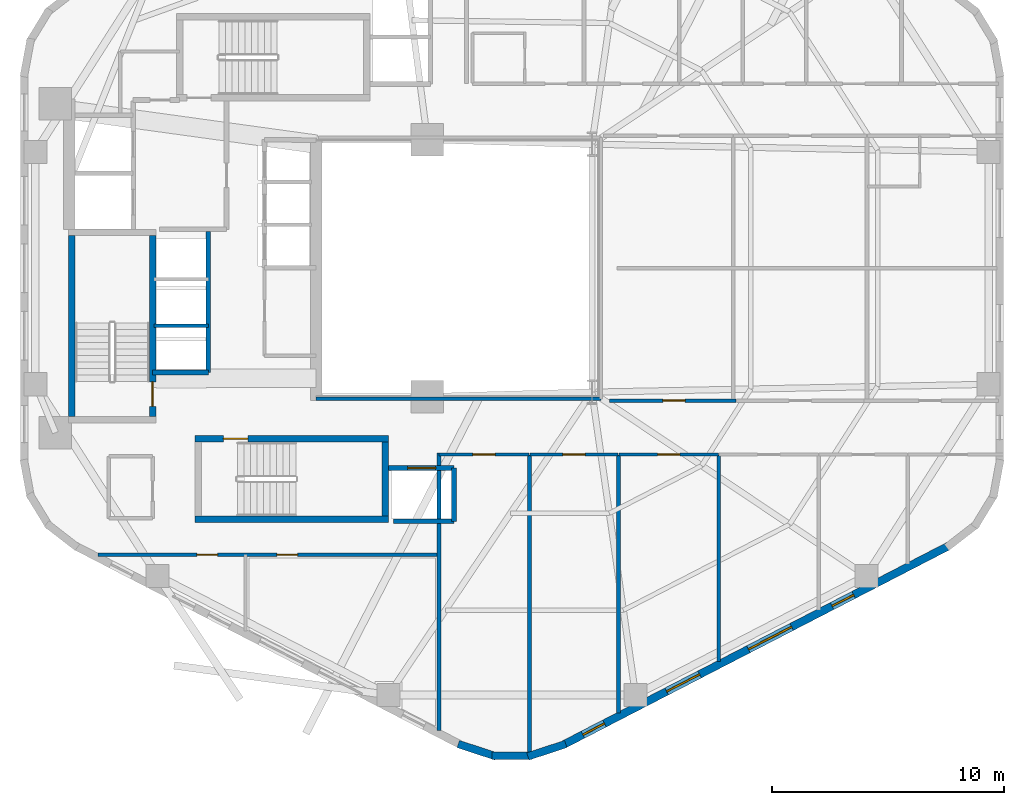
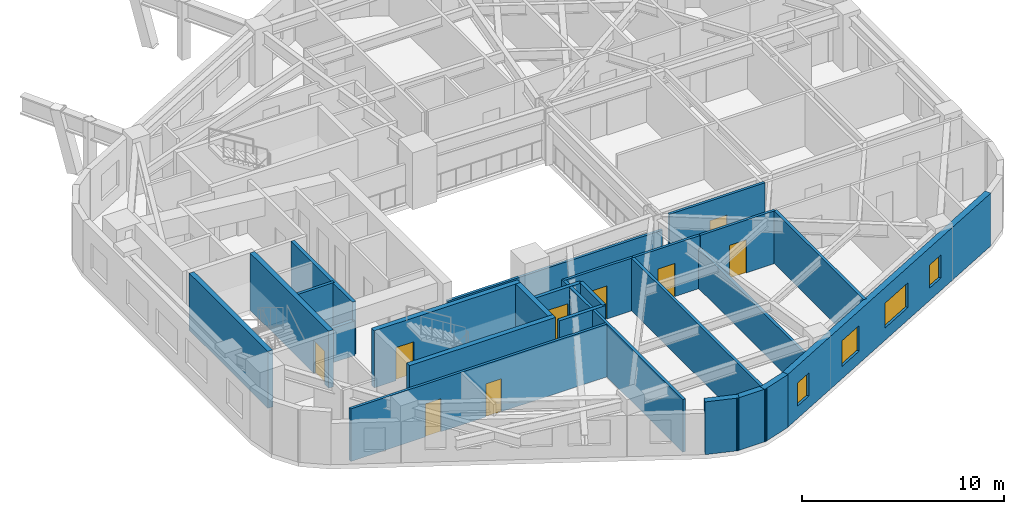
# One storey, part 3 of 8: 25 walls, 9 doors, 4 windows, 13 openings.
"""IFC4 building model written with IfcOpenShell, lengths in metres."""

from ifc_helpers import new_model, si_unit, direction, frame, frame_2d, origin, place, context, subcontext, project, spatial, rectangle, extrude, material, layer, layer_set, type_object, element, fill, save


model = new_model("IFC4")

# Units and contexts
model_context = context("Model", 3, precision=1e-05, world=origin(), true_north=direction((0.0, 1.0)))
body_context = subcontext(model_context, "Body", "Model", "MODEL_VIEW")
ifc_project = project(units=[si_unit("LENGTHUNIT", "METRE"), si_unit("AREAUNIT", "SQUARE_METRE"), si_unit("VOLUMEUNIT", "CUBIC_METRE"), si_unit("PLANEANGLEUNIT", "RADIAN"), si_unit("MASSUNIT", "GRAM", prefix="KILO"), si_unit("THERMODYNAMICTEMPERATUREUNIT", "KELVIN"), si_unit("POWERUNIT", "WATT")], contexts=[model_context])

# Site, building, storey
site_placement = place(None, origin())
site = spatial("IfcSite", under=ifc_project, at=site_placement, CompositionType="ELEMENT")
building_placement = place(site_placement, origin())
building = spatial("IfcBuilding", under=site, at=building_placement, Name="Skarre Station Tower", CompositionType="ELEMENT")
storey_placement = place(building_placement, frame((0.0, 0.0, 129.14990234375)))
storey = spatial("IfcBuildingStorey", under=building, at=storey_placement, Name="L34", CompositionType="ELEMENT", Elevation=129.14990234375)

# Wall
ifc_material_1 = material(Name="Acoustic Steel-Stud Gypsum Partition", Category="steel")
ifc_layer_1 = layer(ifc_material_1, 0.14990234375, Name="Acoustic Steel-Stud Gypsum Partition")
ifc_layer_set_1 = layer_set([ifc_layer_1], Name="Acoustic Steel-Stud Gypsum Partition")
wall_type_1 = type_object("IfcWallType", Name="Fire-Rated Corridor Acoustic Partition 150", PredefinedType="PARTITIONING", material=ifc_layer_set_1)
wall_1_placement = place(storey_placement, frame((27.550048828125, 18.360107421875, 0.0), z_axis=(0.0, 0.0, 1.0), x_axis=(1.0, 0.0, 0.0)))
element("IfcWall", 1, at=wall_1_placement, inside=storey, type_object=wall_type_1, Name="L34 Interior Partition WL-PT-L34-ATRW-S", PredefinedType="PARTITIONING", context=body_context, shape_type="SweptSolid", body=[
    extrude(rectangle(XDim=12.2900390625, YDim=0.14990234375, at=frame_2d((6.14501953125, 0.0))), origin(), (0.0, 0.0, 1.0), 2.3310546875),
])

# Wall, openings, doors
wall_2_placement = place(storey_placement, frame((18.1259765625, 11.639892578125, 0.0), z_axis=(0.0, 0.0, 1.0), x_axis=(1.0, 0.0, 0.0)))
wall_2 = element("IfcWall", 2, at=wall_2_placement, inside=storey, type_object=wall_type_1, Name="L34 Interior Partition WL-PT-L34-SWP-N", PredefinedType="PARTITIONING", context=body_context, shape_type="SweptSolid", body=[
    extrude(rectangle(XDim=14.72412109375, YDim=0.14990234375, at=frame_2d((7.362060546875, 0.0))), origin(), (0.0, 0.0, 1.0), 3.190185546875),
])
opening_1_placement = place(wall_2_placement, frame((4.27392578125, 0.0, 0.0)))
opening_1 = element("IfcOpeningElement", 3, at=opening_1_placement, cuts=wall_2, Name="Opening DR-SVC90", PredefinedType="OPENING", context=body_context, shape_type="SweptSolid", body=[
    extrude(rectangle(XDim=0.89990234375, YDim=2.0, at=frame_2d((0.449951171875, 1.0))), frame((0.0, 0.0849609375, 0.0), z_axis=(0.0, -1.0, 0.0), x_axis=(1.0, 0.0, 0.0)), (0.0, 0.0, 1.0), 0.169921875),
])
opening_2_placement = place(wall_2_placement, frame((7.72412109375, 0.0, 0.0)))
opening_2 = element("IfcOpeningElement", 4, at=opening_2_placement, cuts=wall_2, Name="Opening DR-SVC90", PredefinedType="OPENING", context=body_context, shape_type="SweptSolid", body=[
    extrude(rectangle(XDim=0.89990234375, YDim=2.0, at=frame_2d((0.449951171875, 1.0))), frame((0.0, 0.0849609375, 0.0), z_axis=(0.0, -1.0, 0.0), x_axis=(1.0, 0.0, 0.0)), (0.0, 0.0, 1.0), 0.169921875),
])
ifc_material_2 = material(Name="Powder-Coated Hollow-Metal Acoustic Fire Leaf", Category="steel")
door_type_1 = type_object("IfcDoorType", Name="Service & Riser Fire Door FD60 900x2100", OperationType="SINGLE_SWING_LEFT", PredefinedType="DOOR", material=ifc_material_2)
door_1_placement = place(opening_1_placement, origin())
door_1 = element("IfcDoor", 5, at=door_1_placement, inside=storey, type_object=door_type_1, Name="L34 Floor Public Toilets Door", OperationType="SINGLE_SWING_LEFT", OverallHeight=2.0, OverallWidth=0.89990234375, PredefinedType="DOOR", context=body_context, shape_type="SweptSolid", body=[
    extrude(rectangle(XDim=0.89990234375, YDim=2.0, at=frame_2d((0.449951171875, 1.0))), frame((0.0, 0.02490234375, 0.0), z_axis=(0.0, -1.0, 0.0), x_axis=(1.0, 0.0, 0.0)), (0.0, 0.0, 1.0), 0.050048828125),
])
fill(opening_1, door_1)
door_2_placement = place(opening_2_placement, origin())
door_2 = element("IfcDoor", 6, at=door_2_placement, inside=storey, type_object=door_type_1, Name="L34 Housekeeping Room Door", OperationType="SINGLE_SWING_LEFT", OverallHeight=2.0, OverallWidth=0.89990234375, PredefinedType="DOOR", context=body_context, shape_type="SweptSolid", body=[
    extrude(rectangle(XDim=0.89990234375, YDim=2.0, at=frame_2d((0.449951171875, 1.0))), frame((0.0, 0.02490234375, 0.0), z_axis=(0.0, -1.0, 0.0), x_axis=(1.0, 0.0, 0.0)), (0.0, 0.0, 1.0), 0.050048828125),
])
fill(opening_2, door_2)

# Wall, opening, door
wall_3_placement = place(storey_placement, frame((45.6689453125, 18.2900390625, 0.0), z_axis=(0.0, 0.0, 1.0), x_axis=(-1.0, 0.0, 0.0)))
wall_3 = element("IfcWall", 7, at=wall_3_placement, inside=storey, type_object=wall_type_1, Name="L34 Interior Partition WL-PT-L34-EWS1-CW", PredefinedType="PARTITIONING", context=body_context, shape_type="SweptSolid", body=[
    extrude(rectangle(XDim=5.468994140625, YDim=0.14990234375, at=frame_2d((2.734375, 0.0))), origin(), (0.0, 0.0, 1.0), 3.190185546875),
])
opening_3_placement = place(wall_3_placement, frame((2.197021484375, 0.0, 0.0)))
opening_3 = element("IfcOpeningElement", 8, at=opening_3_placement, cuts=wall_3, Name="Opening DR-FD60", PredefinedType="OPENING", context=body_context, shape_type="SweptSolid", body=[
    extrude(rectangle(XDim=0.9599609375, YDim=2.0, at=frame_2d((0.47998046875, 1.0))), frame((0.0, 0.0849609375, 0.0), z_axis=(0.0, -1.0, 0.0), x_axis=(1.0, 0.0, 0.0)), (0.0, 0.0, 1.0), 0.169921875),
])
ifc_material_3 = material(Name="Nordic White-Oak Veneer Solid-Core Fire Leaf", Category="wood")
door_type_2 = type_object("IfcDoorType", Name="Corridor Suite Entry Fire Door FD60 960x2150", OperationType="SINGLE_SWING_LEFT", PredefinedType="DOOR", material=ifc_material_3)
door_3_placement = place(opening_3_placement, origin())
door_3 = element("IfcDoor", 9, at=door_3_placement, inside=storey, type_object=door_type_2, Name="L34 EWS1 Entry Door", OperationType="SINGLE_SWING_LEFT", OverallHeight=2.0, OverallWidth=0.9599609375, PredefinedType="DOOR", context=body_context, shape_type="SweptSolid", body=[
    extrude(rectangle(XDim=0.9599609375, YDim=2.0, at=frame_2d((0.47998046875, 1.0))), frame((0.0, 0.02490234375, 0.0), z_axis=(0.0, -1.0, 0.0), x_axis=(1.0, 0.0, 0.0)), (0.0, 0.0, 1.0), 0.050048828125),
])
fill(opening_3, door_3)

wall_4_placement = place(storey_placement, frame((32.85009765625, 15.9599609375, 0.0), z_axis=(0.0, 0.0, 1.0), x_axis=(1.0, 0.0, 0.0)))
wall_4 = element("IfcWall", 10, at=wall_4_placement, inside=storey, type_object=wall_type_1, Name="L34 Interior Partition WL-PT-L34-SW1-CW", PredefinedType="PARTITIONING", context=body_context, shape_type="SweptSolid", body=[
    extrude(rectangle(XDim=3.891845703125, YDim=0.14990234375, at=frame_2d((1.94580078125, 0.0))), origin(), (0.0, 0.0, 1.0), 3.190185546875),
])
opening_4_placement = place(wall_4_placement, frame((1.466064453125, 0.0, 0.0)))
opening_4 = element("IfcOpeningElement", 11, at=opening_4_placement, cuts=wall_4, Name="Opening DR-FD60", PredefinedType="OPENING", context=body_context, shape_type="SweptSolid", body=[
    extrude(rectangle(XDim=0.9599609375, YDim=2.0, at=frame_2d((0.47998046875, 1.0))), frame((0.0, 0.0849609375, 0.0), z_axis=(0.0, -1.0, 0.0), x_axis=(1.0, 0.0, 0.0)), (0.0, 0.0, 1.0), 0.169921875),
])
door_4_placement = place(opening_4_placement, origin())
door_4 = element("IfcDoor", 12, at=door_4_placement, inside=storey, type_object=door_type_2, Name="L34 SW1 Entry Door", OperationType="SINGLE_SWING_LEFT", OverallHeight=2.0, OverallWidth=0.9599609375, PredefinedType="DOOR", context=body_context, shape_type="SweptSolid", body=[
    extrude(rectangle(XDim=0.9599609375, YDim=2.0, at=frame_2d((0.47998046875, 1.0))), frame((0.0, 0.02490234375, 0.0), z_axis=(0.0, -1.0, 0.0), x_axis=(1.0, 0.0, 0.0)), (0.0, 0.0, 1.0), 0.050048828125),
])
fill(opening_4, door_4)

wall_5_placement = place(storey_placement, frame((36.778076171875, 15.9599609375, 0.0), z_axis=(0.0, 0.0, 1.0), x_axis=(1.0, 0.0, 0.0)))
wall_5 = element("IfcWall", 13, at=wall_5_placement, inside=storey, type_object=wall_type_1, Name="L34 Interior Partition WL-PT-L34-SW2-CW", PredefinedType="PARTITIONING", context=body_context, shape_type="SweptSolid", body=[
    extrude(rectangle(XDim=3.802978515625, YDim=0.14990234375, at=frame_2d((1.9013671875, 0.0))), origin(), (0.0, 0.0, 1.0), 3.190185546875),
])
opening_5_placement = place(wall_5_placement, frame((1.422119140625, 0.0, 0.0)))
opening_5 = element("IfcOpeningElement", 14, at=opening_5_placement, cuts=wall_5, Name="Opening DR-FD60", PredefinedType="OPENING", context=body_context, shape_type="SweptSolid", body=[
    extrude(rectangle(XDim=0.9599609375, YDim=2.0, at=frame_2d((0.47998046875, 1.0))), frame((0.0, 0.0849609375, 0.0), z_axis=(0.0, -1.0, 0.0), x_axis=(1.0, 0.0, 0.0)), (0.0, 0.0, 1.0), 0.169921875),
])
door_5_placement = place(opening_5_placement, origin())
door_5 = element("IfcDoor", 15, at=door_5_placement, inside=storey, type_object=door_type_2, Name="L34 SW2 Entry Door", OperationType="SINGLE_SWING_LEFT", OverallHeight=2.0, OverallWidth=0.9599609375, PredefinedType="DOOR", context=body_context, shape_type="SweptSolid", body=[
    extrude(rectangle(XDim=0.9599609375, YDim=2.0, at=frame_2d((0.47998046875, 1.0))), frame((0.0, 0.02490234375, 0.0), z_axis=(0.0, -1.0, 0.0), x_axis=(1.0, 0.0, 0.0)), (0.0, 0.0, 1.0), 0.050048828125),
])
fill(opening_5, door_5)

wall_6_placement = place(storey_placement, frame((40.616943359375, 15.9599609375, 0.0), z_axis=(0.0, 0.0, 1.0), x_axis=(1.0, 0.0, 0.0)))
wall_6 = element("IfcWall", 16, at=wall_6_placement, inside=storey, type_object=wall_type_1, Name="L34 Interior Partition WL-PT-L34-SW3-CW", PredefinedType="PARTITIONING", context=body_context, shape_type="SweptSolid", body=[
    extrude(rectangle(XDim=4.283935546875, YDim=0.14990234375, at=frame_2d((2.14208984375, 0.0))), origin(), (0.0, 0.0, 1.0), 3.190185546875),
])
opening_6_placement = place(wall_6_placement, frame((1.662109375, 0.0, 0.0)))
opening_6 = element("IfcOpeningElement", 17, at=opening_6_placement, cuts=wall_6, Name="Opening DR-FD60", PredefinedType="OPENING", context=body_context, shape_type="SweptSolid", body=[
    extrude(rectangle(XDim=0.9599609375, YDim=2.0, at=frame_2d((0.47998046875, 1.0))), frame((0.0, 0.0849609375, 0.0), z_axis=(0.0, -1.0, 0.0), x_axis=(1.0, 0.0, 0.0)), (0.0, 0.0, 1.0), 0.169921875),
])
door_6_placement = place(opening_6_placement, origin())
door_6 = element("IfcDoor", 18, at=door_6_placement, inside=storey, type_object=door_type_2, Name="L34 SW3 Entry Door", OperationType="SINGLE_SWING_LEFT", OverallHeight=2.0, OverallWidth=0.9599609375, PredefinedType="DOOR", context=body_context, shape_type="SweptSolid", body=[
    extrude(rectangle(XDim=0.9599609375, YDim=2.0, at=frame_2d((0.47998046875, 1.0))), frame((0.0, 0.02490234375, 0.0), z_axis=(0.0, -1.0, 0.0), x_axis=(1.0, 0.0, 0.0)), (0.0, 0.0, 1.0), 0.050048828125),
])
fill(opening_6, door_6)

# Wall, openings, windows
ifc_material_4 = material(Name="Precast concrete C45/55", Category="concrete")
ifc_layer_2 = layer(ifc_material_4, 0.340087890625, Name="Precast concrete C45/55")
ifc_layer_set_2 = layer_set([ifc_layer_2], Name="Precast concrete C45/55")
wall_type_2 = type_object("IfcWallType", Name="Nordic Honed Precast Facet Wall 340", PredefinedType="STANDARD", material=ifc_layer_set_2)
wall_7_placement = place(storey_placement, frame((54.8310546875, 12.010009765625, 0.0), z_axis=(0.0, 0.0, 1.0), x_axis=(-0.888613612362, -0.458656568606, 0.0)))
wall_7 = element("IfcWall", 19, at=wall_7_placement, inside=storey, type_object=wall_type_2, Name="L34 Facet 4 Nordic Precast Masonry Wall", PredefinedType="STANDARD", context=body_context, shape_type="SweptSolid", body=[
    extrude(rectangle(XDim=18.680908203125, YDim=0.340087890625, at=frame_2d((9.34033203125, 0.0))), origin(), (0.0, 0.0, 1.0), 3.190185546875),
])
opening_7_placement = place(wall_7_placement, frame((4.596923828125, 0.0, 0.75)))
opening_7 = element("IfcOpeningElement", 20, at=opening_7_placement, cuts=wall_7, Name="Opening WN-SLT", PredefinedType="OPENING", context=body_context, shape_type="SweptSolid", body=[
    extrude(rectangle(XDim=1.050048828125, YDim=1.39990234375, at=frame_2d((0.52490234375, 0.699951171875))), frame((0.0, 0.179931640625, 0.0), z_axis=(0.0, -1.0, 0.0), x_axis=(1.0, 0.0, 0.0)), (0.0, 0.0, 1.0), 0.360107421875),
])
opening_8_placement = place(wall_7_placement, frame((7.612060546875, 0.0, 0.75)))
opening_8 = element("IfcOpeningElement", 21, at=opening_8_placement, cuts=wall_7, Name="Opening WN-Z2B", PredefinedType="OPENING", context=body_context, shape_type="SweptSolid", body=[
    extrude(rectangle(XDim=2.10009765625, YDim=1.5, at=frame_2d((1.050048828125, 0.75))), frame((0.0, 0.179931640625, 0.0), z_axis=(0.0, -1.0, 0.0), x_axis=(1.0, 0.0, 0.0)), (0.0, 0.0, 1.0), 0.360107421875),
])
opening_9_placement = place(wall_7_placement, frame((12.080078125, 0.0, 0.75)))
opening_9 = element("IfcOpeningElement", 22, at=opening_9_placement, cuts=wall_7, Name="Opening WN-Z2A", PredefinedType="OPENING", context=body_context, shape_type="SweptSolid", body=[
    extrude(rectangle(XDim=1.60009765625, YDim=1.550048828125, at=frame_2d((0.800048828125, 0.77490234375))), frame((0.0, 0.179931640625, 0.0), z_axis=(0.0, -1.0, 0.0), x_axis=(1.0, 0.0, 0.0)), (0.0, 0.0, 1.0), 0.360107421875),
])
opening_10_placement = place(wall_7_placement, frame((16.698974609375, 0.0, 0.75)))
opening_10 = element("IfcOpeningElement", 23, at=opening_10_placement, cuts=wall_7, Name="Opening WN-SLT", PredefinedType="OPENING", context=body_context, shape_type="SweptSolid", body=[
    extrude(rectangle(XDim=1.050048828125, YDim=1.39990234375, at=frame_2d((0.52490234375, 0.699951171875))), frame((0.0, 0.179931640625, 0.0), z_axis=(0.0, -1.0, 0.0), x_axis=(1.0, 0.0, 0.0)), (0.0, 0.0, 1.0), 0.360107421875),
])
ifc_material_5 = material(Name="Low-Iron Triple Glazing with Bronze Anodized Frame", Category="glass")
window_type_1 = type_object("IfcWindowType", Name="Nordic Corner Slot Window 1050x1400", PartitioningType="SINGLE_PANEL", PredefinedType="WINDOW", material=ifc_material_5)
window_1_placement = place(opening_7_placement, origin())
window_1 = element("IfcWindow", 24, at=window_1_placement, inside=storey, type_object=window_type_1, Name="L34 Facade Window WL-FAC-L34-F4-1", OverallHeight=1.39990234375, OverallWidth=1.050048828125, PartitioningType="SINGLE_PANEL", PredefinedType="WINDOW", context=body_context, shape_type="SweptSolid", body=[
    extrude(rectangle(XDim=1.050048828125, YDim=1.39990234375, at=frame_2d((0.52490234375, 0.699951171875))), frame((0.0, 0.030029296875, 0.0), z_axis=(0.0, -1.0, 0.0), x_axis=(1.0, 0.0, 0.0)), (0.0, 0.0, 1.0), 0.06005859375),
])
fill(opening_7, window_1)
window_2_placement = place(opening_10_placement, origin())
window_2 = element("IfcWindow", 25, at=window_2_placement, inside=storey, type_object=window_type_1, Name="L34 Facade Window WL-FAC-L34-F4-4", OverallHeight=1.39990234375, OverallWidth=1.050048828125, PartitioningType="SINGLE_PANEL", PredefinedType="WINDOW", context=body_context, shape_type="SweptSolid", body=[
    extrude(rectangle(XDim=1.050048828125, YDim=1.39990234375, at=frame_2d((0.52490234375, 0.699951171875))), frame((0.0, 0.030029296875, 0.0), z_axis=(0.0, -1.0, 0.0), x_axis=(1.0, 0.0, 0.0)), (0.0, 0.0, 1.0), 0.06005859375),
])
fill(opening_10, window_2)
window_type_2 = type_object("IfcWindowType", Name="Nordic Residential Tall Window 1600x1550", PartitioningType="SINGLE_PANEL", PredefinedType="WINDOW", material=ifc_material_5)
window_3_placement = place(opening_9_placement, origin())
window_3 = element("IfcWindow", 26, at=window_3_placement, inside=storey, type_object=window_type_2, Name="L34 Facade Window WL-FAC-L34-F4-3", OverallHeight=1.550048828125, OverallWidth=1.60009765625, PartitioningType="SINGLE_PANEL", PredefinedType="WINDOW", context=body_context, shape_type="SweptSolid", body=[
    extrude(rectangle(XDim=1.60009765625, YDim=1.550048828125, at=frame_2d((0.800048828125, 0.77490234375))), frame((0.0, 0.030029296875, 0.0), z_axis=(0.0, -1.0, 0.0), x_axis=(1.0, 0.0, 0.0)), (0.0, 0.0, 1.0), 0.06005859375),
])
fill(opening_9, window_3)
window_type_3 = type_object("IfcWindowType", Name="Nordic Residential Twin Window 2100x1500", PartitioningType="SINGLE_PANEL", PredefinedType="WINDOW", material=ifc_material_5)
window_4_placement = place(opening_8_placement, origin())
window_4 = element("IfcWindow", 27, at=window_4_placement, inside=storey, type_object=window_type_3, Name="L34 Facade Window WL-FAC-L34-F4-2", OverallHeight=1.5, OverallWidth=2.10009765625, PartitioningType="SINGLE_PANEL", PredefinedType="WINDOW", context=body_context, shape_type="SweptSolid", body=[
    extrude(rectangle(XDim=2.10009765625, YDim=1.5, at=frame_2d((1.050048828125, 0.75))), frame((0.0, 0.030029296875, 0.0), z_axis=(0.0, -1.0, 0.0), x_axis=(1.0, 0.0, 0.0)), (0.0, 0.0, 1.0), 0.06005859375),
])
fill(opening_8, window_4)

# Walls
ifc_layer_3 = layer(ifc_material_4, 0.330078125, Name="Precast concrete C45/55")
ifc_layer_set_3 = layer_set([ifc_layer_3], Name="Precast concrete C45/55")
wall_type_3 = type_object("IfcWallType", Name="Nordic Rounded Corner Precast Wall 330", PredefinedType="STANDARD", material=ifc_layer_set_3)
for number, where, z_axis, x_axis, name in (
    (28, (38.319091796875, 3.468017578125, 0.0), (0.0, 0.0, 1.0), (-0.949937416267, -0.312440242569, 0.0), "L34 Rounded Corner Precast Wall F4-1"),
    (29, (36.861083984375, 2.958984375, 0.0), (0.0, 0.0, 1.0), (-1.0, 0.0, 0.0), "L34 Rounded Corner Precast Wall F4-2"),
    (30, (35.31689453125, 2.929931640625, 0.0), (0.0, 0.0, 1.0), (-0.949937416267, 0.312440242569, 0.0), "L34 Rounded Corner Precast Wall F4-3"),
):
    element("IfcWall", number, at=place(storey_placement, frame(where, z_axis=z_axis, x_axis=x_axis)), inside=storey, type_object=wall_type_3, Name=name, PredefinedType="STANDARD", context=body_context, shape_type="SweptSolid", body=[
        extrude(rectangle(XDim=1.72216796875, YDim=0.330078125, at=frame_2d((0.861083984375, 0.0))), origin(), (0.0, 0.0, 1.0), 3.190185546875),
    ])
ifc_material_6 = material(Name="Concrete C50/60", Category="concrete")
ifc_layer_4 = layer(ifc_material_6, 0.280029296875, Name="Concrete C50/60")
ifc_layer_set_4 = layer_set([ifc_layer_4], Name="Concrete C50/60")
wall_type_4 = type_object("IfcWallType", Name="RC Core Shear Wall 280", PredefinedType="SHEAR", material=ifc_layer_set_4)
wall_8_placement = place(storey_placement, frame((17.010009765625, 25.39990234375, 0.0), z_axis=(0.0, 0.0, 1.0), x_axis=(0.0, -1.0, 0.0)))
element("IfcWall", 31, at=wall_8_placement, inside=storey, type_object=wall_type_4, Name="L34 Stair ST-1 West Shear Wall", PredefinedType="SHEAR", context=body_context, shape_type="SweptSolid", body=[
    extrude(rectangle(XDim=7.7998046875, YDim=0.280029296875, at=frame_2d((3.89990234375, 0.0))), origin(), (0.0, 0.0, 1.0), 3.4501953125),
])

# Wall, opening, door
wall_9_placement = place(storey_placement, frame((20.489990234375, 17.60009765625, 0.0), z_axis=(0.0, 0.0, 1.0), x_axis=(0.0, 1.0, 0.0)))
wall_9 = element("IfcWall", 32, at=wall_9_placement, inside=storey, type_object=wall_type_4, Name="L34 Stair ST-1 East Shear Wall", PredefinedType="SHEAR", context=body_context, shape_type="SweptSolid", body=[
    extrude(rectangle(XDim=7.7998046875, YDim=0.280029296875, at=frame_2d((3.89990234375, 0.0))), origin(), (0.0, 0.0, 1.0), 3.4501953125),
])
opening_11_placement = place(wall_9_placement, frame((0.43994140625, 0.0, 0.0)))
opening_11 = element("IfcOpeningElement", 33, at=opening_11_placement, cuts=wall_9, Name="Opening DR-FD90", PredefinedType="OPENING", context=body_context, shape_type="SweptSolid", body=[
    extrude(rectangle(XDim=1.050048828125, YDim=2.0, at=frame_2d((0.52490234375, 1.0))), frame((0.0, 0.14990234375, 0.0), z_axis=(0.0, -1.0, 0.0), x_axis=(1.0, 0.0, 0.0)), (0.0, 0.0, 1.0), 0.300048828125),
])
ifc_material_7 = material(Name="Fire-Rated Insulated Steel Frame & Timber Core Leaf", Category="steel")
door_type_3 = type_object("IfcDoorType", Name="Stair & FSAE Lobby Fire Door FD90 1050x2150", OperationType="SINGLE_SWING_RIGHT", PredefinedType="DOOR", material=ifc_material_7)
door_7_placement = place(opening_11_placement, origin())
door_7 = element("IfcDoor", 34, at=door_7_placement, inside=storey, type_object=door_type_3, Name="L34 Stair ST-1 Exit Door", OperationType="SINGLE_SWING_RIGHT", OverallHeight=2.0, OverallWidth=1.050048828125, PredefinedType="DOOR", context=body_context, shape_type="SweptSolid", body=[
    extrude(rectangle(XDim=1.050048828125, YDim=2.0, at=frame_2d((0.52490234375, 1.0))), frame((0.0, 0.02490234375, 0.0), z_axis=(0.0, -1.0, 0.0), x_axis=(1.0, 0.0, 0.0)), (0.0, 0.0, 1.0), 0.050048828125),
])
fill(opening_11, door_7)

# Wall
wall_10_placement = place(storey_placement, frame((22.320068359375, 13.159912109375, 0.0), z_axis=(0.0, 0.0, 1.0), x_axis=(1.0, 0.0, 0.0)))
element("IfcWall", 35, at=wall_10_placement, inside=storey, type_object=wall_type_4, Name="L34 Stair ST-2 South Shear Wall", PredefinedType="SHEAR", context=body_context, shape_type="SweptSolid", body=[
    extrude(rectangle(XDim=8.35986328125, YDim=0.280029296875, at=frame_2d((4.179931640625, 0.0))), origin(), (0.0, 0.0, 1.0), 3.4501953125),
])

# Wall, opening, door
wall_11_placement = place(storey_placement, frame((30.679931640625, 16.639892578125, 0.0), z_axis=(0.0, 0.0, 1.0), x_axis=(-1.0, 0.0, 0.0)))
wall_11 = element("IfcWall", 36, at=wall_11_placement, inside=storey, type_object=wall_type_4, Name="L34 Stair ST-2 North Shear Wall", PredefinedType="SHEAR", context=body_context, shape_type="SweptSolid", body=[
    extrude(rectangle(XDim=8.35986328125, YDim=0.280029296875, at=frame_2d((4.179931640625, 0.0))), origin(), (0.0, 0.0, 1.0), 3.4501953125),
])
opening_12_placement = place(wall_11_placement, frame((6.080078125, 0.0, 0.0)))
opening_12 = element("IfcOpeningElement", 37, at=opening_12_placement, cuts=wall_11, Name="Opening DR-FD90", PredefinedType="OPENING", context=body_context, shape_type="SweptSolid", body=[
    extrude(rectangle(XDim=1.050048828125, YDim=2.0, at=frame_2d((0.52490234375, 1.0))), frame((0.0, 0.14990234375, 0.0), z_axis=(0.0, -1.0, 0.0), x_axis=(1.0, 0.0, 0.0)), (0.0, 0.0, 1.0), 0.300048828125),
])
door_8_placement = place(opening_12_placement, origin())
door_8 = element("IfcDoor", 38, at=door_8_placement, inside=storey, type_object=door_type_3, Name="L34 Stair ST-2 Exit Door", OperationType="SINGLE_SWING_RIGHT", OverallHeight=2.0, OverallWidth=1.050048828125, PredefinedType="DOOR", context=body_context, shape_type="SweptSolid", body=[
    extrude(rectangle(XDim=1.050048828125, YDim=2.0, at=frame_2d((0.52490234375, 1.0))), frame((0.0, 0.02490234375, 0.0), z_axis=(0.0, -1.0, 0.0), x_axis=(1.0, 0.0, 0.0)), (0.0, 0.0, 1.0), 0.050048828125),
])
fill(opening_12, door_8)

# Wall
wall_12_placement = place(storey_placement, frame((30.5400390625, 13.300048828125, 0.0), z_axis=(0.0, 0.0, 1.0), x_axis=(0.0, 1.0, 0.0)))
element("IfcWall", 39, at=wall_12_placement, inside=storey, type_object=wall_type_4, Name="L34 Stair ST-2 East Shear Wall", PredefinedType="SHEAR", context=body_context, shape_type="SweptSolid", body=[
    extrude(rectangle(XDim=3.199951171875, YDim=0.280029296875, at=frame_2d((1.60009765625, 0.0))), origin(), (0.0, 0.0, 1.0), 3.4501953125),
])

# Wall, opening, door
ifc_material_8 = material(Name="Gypsum Concrete Shaft Assembly C30/37", Category="concrete")
ifc_layer_5 = layer(ifc_material_8, 0.199951171875, Name="Gypsum Concrete Shaft Assembly C30/37")
ifc_layer_set_5 = layer_set([ifc_layer_5], Name="Gypsum Concrete Shaft Assembly C30/37")
wall_type_5 = type_object("IfcWallType", Name="Shaft & Core Fire Partition 200", PredefinedType="PARTITIONING", material=ifc_layer_set_5)
wall_13_placement = place(storey_placement, frame((33.5, 15.3798828125, 0.0), z_axis=(0.0, 0.0, 1.0), x_axis=(-1.0, 0.0, 0.0)))
wall_13 = element("IfcWall", 40, at=wall_13_placement, inside=storey, type_object=wall_type_5, Name="L34 Interior Partition WL-PT-L34-SV1-N", PredefinedType="PARTITIONING", context=body_context, shape_type="SweptSolid", body=[
    extrude(rectangle(XDim=2.820068359375, YDim=0.199951171875, at=frame_2d((1.41015625, 0.0))), origin(), (0.0, 0.0, 1.0), 3.190185546875),
])
opening_13_placement = place(wall_13_placement, frame((0.800048828125, 0.0, 0.0)))
opening_13 = element("IfcOpeningElement", 41, at=opening_13_placement, cuts=wall_13, Name="Opening LD-SV1", PredefinedType="OPENING", context=body_context, shape_type="SweptSolid", body=[
    extrude(rectangle(XDim=1.199951171875, YDim=2.199951171875, at=frame_2d((0.60009765625, 1.10009765625))), frame((0.0, 0.10986328125, 0.0), z_axis=(0.0, -1.0, 0.0), x_axis=(1.0, 0.0, 0.0)), (0.0, 0.0, 1.0), 0.219970703125),
])
ifc_material_9 = material(Name="Heavy-Gauge Brushed Stainless Steel Sliding Leaves", Category="steel")
door_type_4 = type_object("IfcDoorType", Name="Service Elevator Wide Sliding Landing Door 1200x2200", OperationType="SLIDING_TO_RIGHT", PredefinedType="DOOR", material=ifc_material_9)
door_9_placement = place(opening_13_placement, origin())
door_9 = element("IfcDoor", 42, at=door_9_placement, inside=storey, type_object=door_type_4, Name="L34 Service Lift LF-SV1 Landing Door", OperationType="SLIDING_TO_RIGHT", OverallHeight=2.199951171875, OverallWidth=1.199951171875, PredefinedType="DOOR", context=body_context, shape_type="SweptSolid", body=[
    extrude(rectangle(XDim=1.199951171875, YDim=2.199951171875, at=frame_2d((0.60009765625, 1.10009765625))), frame((0.0, 0.02490234375, 0.0), z_axis=(0.0, -1.0, 0.0), x_axis=(1.0, 0.0, 0.0)), (0.0, 0.0, 1.0), 0.050048828125),
])
fill(opening_13, door_9)

# Walls
wall_14_placement = place(storey_placement, frame((33.5, 13.080078125, 0.0), z_axis=(0.0, 0.0, 1.0), x_axis=(0.0, 1.0, 0.0)))
element("IfcWall", 43, at=wall_14_placement, inside=storey, type_object=wall_type_5, Name="L34 Interior Partition WL-PT-L34-SV1-E", PredefinedType="PARTITIONING", context=body_context, shape_type="SweptSolid", body=[
    extrude(rectangle(XDim=2.2998046875, YDim=0.199951171875, at=frame_2d((1.14990234375, 0.0))), origin(), (0.0, 0.0, 1.0), 3.190185546875),
])
wall_15_placement = place(storey_placement, frame((30.87890625, 13.080078125, 0.0), z_axis=(0.0, 0.0, 1.0), x_axis=(1.0, 0.0, 0.0)))
element("IfcWall", 44, at=wall_15_placement, inside=storey, type_object=wall_type_5, Name="L34 Interior Partition WL-PT-L34-SV1-S", PredefinedType="PARTITIONING", context=body_context, shape_type="SweptSolid", body=[
    extrude(rectangle(XDim=2.62109375, YDim=0.199951171875, at=frame_2d((1.310546875, 0.0))), origin(), (0.0, 0.0, 1.0), 3.190185546875),
])
wall_16_placement = place(storey_placement, frame((22.89990234375, 19.5, 0.0), z_axis=(0.0, 0.0, 1.0), x_axis=(0.0, 1.0, 0.0)))
element("IfcWall", 45, at=wall_16_placement, inside=storey, type_object=wall_type_5, Name="L34 Interior Partition WL-PT-L34-B3-E", PredefinedType="PARTITIONING", context=body_context, shape_type="SweptSolid", body=[
    extrude(rectangle(XDim=6.0849609375, YDim=0.199951171875, at=frame_2d((3.04248046875, 0.0))), origin(), (0.0, 0.0, 1.0), 3.190185546875),
])
wall_17_placement = place(storey_placement, frame((20.489990234375, 19.5, 0.0), z_axis=(0.0, 0.0, 1.0), x_axis=(1.0, 0.0, 0.0)))
element("IfcWall", 46, at=wall_17_placement, inside=storey, type_object=wall_type_5, Name="L34 Interior Partition WL-PT-L34-B3-S", PredefinedType="PARTITIONING", context=body_context, shape_type="SweptSolid", body=[
    extrude(rectangle(XDim=2.409912109375, YDim=0.199951171875, at=frame_2d((1.205078125, 0.0))), origin(), (0.0, 0.0, 1.0), 2.090087890625),
])
wall_18_placement = place(storey_placement, frame((20.550048828125, 21.52001953125, 0.0), z_axis=(0.0, 0.0, 1.0), x_axis=(1.0, 0.0, 0.0)))
element("IfcWall", 47, at=wall_18_placement, inside=storey, type_object=wall_type_5, Name="L34 Interior Partition WL-PT-L34-B3-D1", PredefinedType="PARTITIONING", context=body_context, shape_type="SweptSolid", body=[
    extrude(rectangle(XDim=2.349853515625, YDim=0.159912109375, at=frame_2d((1.1748046875, 0.0))), origin(), (0.0, 0.0, 1.0), 3.190185546875),
])
ifc_layer_6 = layer(ifc_material_1, 0.1650390625, Name="Acoustic Steel-Stud Gypsum Partition")
ifc_layer_set_6 = layer_set([ifc_layer_6], Name="Acoustic Steel-Stud Gypsum Partition")
wall_type_6 = type_object("IfcWallType", Name="Suite Demising Acoustic Partition 165", PredefinedType="PARTITIONING", material=ifc_layer_set_6)
wall_19_placement = place(storey_placement, frame((32.85009765625, 4.0400390625, 0.0), z_axis=(0.0, 0.0, 1.0), x_axis=(0.0, 1.0, 0.0)))
element("IfcWall", 48, at=wall_19_placement, inside=storey, type_object=wall_type_6, Name="L34 Interior Partition WL-PT-L34-SWP-E", PredefinedType="PARTITIONING", context=body_context, shape_type="SweptSolid", body=[
    extrude(rectangle(XDim=11.989990234375, YDim=0.1650390625, at=frame_2d((5.9951171875, 0.0))), origin(), (0.0, 0.0, 1.0), 3.190185546875),
])
wall_20_placement = place(storey_placement, frame((36.760009765625, 3.0869140625, 0.0), z_axis=(0.0, 0.0, 1.0), x_axis=(0.0, 1.0, 0.0)))
element("IfcWall", 49, at=wall_20_placement, inside=storey, type_object=wall_type_6, Name="L34 Interior Partition WL-PT-L34-SW-P1", PredefinedType="PARTITIONING", context=body_context, shape_type="SweptSolid", body=[
    extrude(rectangle(XDim=12.843017578125, YDim=0.1650390625, at=frame_2d((6.42138671875, 0.0))), origin(), (0.0, 0.0, 1.0), 3.190185546875),
])
wall_21_placement = place(storey_placement, frame((40.59912109375, 4.799072265625, 0.0), z_axis=(0.0, 0.0, 1.0), x_axis=(0.0, 1.0, 0.0)))
element("IfcWall", 50, at=wall_21_placement, inside=storey, type_object=wall_type_6, Name="L34 Interior Partition WL-PT-L34-SW-P2", PredefinedType="PARTITIONING", context=body_context, shape_type="SweptSolid", body=[
    extrude(rectangle(XDim=11.130859375, YDim=0.1650390625, at=frame_2d((5.5654296875, 0.0))), origin(), (0.0, 0.0, 1.0), 2.420166015625),
])
wall_22_placement = place(storey_placement, frame((44.9189453125, 7.029052734375, 0.0), z_axis=(0.0, 0.0, 1.0), x_axis=(0.0, 1.0, 0.0)))
element("IfcWall", 51, at=wall_22_placement, inside=storey, type_object=wall_type_6, Name="L34 Interior Partition WL-PT-L34-SW-P3", PredefinedType="PARTITIONING", context=body_context, shape_type="SweptSolid", body=[
    extrude(rectangle(XDim=8.90087890625, YDim=0.1650390625, at=frame_2d((4.450439453125, 0.0))), origin(), (0.0, 0.0, 1.0), 3.190185546875),
])

save(model, "model.ifc")
